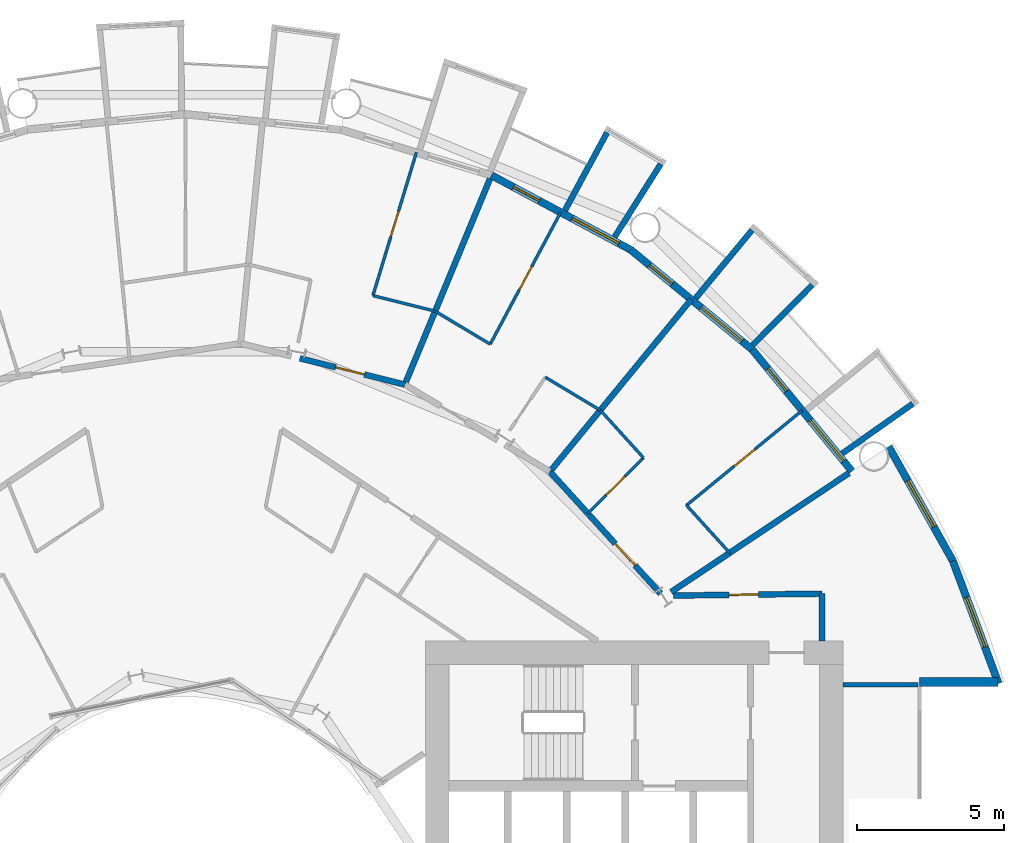
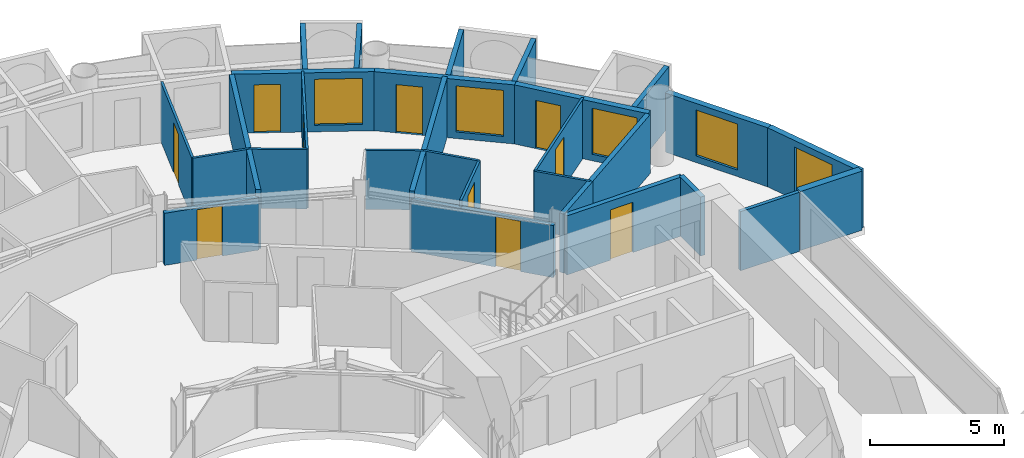
# One storey, part 21 of 26: 29 walls, 10 doors, 5 windows, 15 openings.
"""IFC4 building model written with IfcOpenShell, lengths in metres."""

from ifc_helpers import new_model, si_unit, direction, frame, frame_2d, origin, place, context, subcontext, project, spatial, rectangle, extrude, material, layer, layer_set, type_object, element, fill, save


model = new_model("IFC4")

# Units and contexts
model_context = context("Model", 3, precision=1e-05, world=origin(), true_north=direction((0.0, 1.0)))
body_context = subcontext(model_context, "Body", "Model", "MODEL_VIEW")
ifc_project = project(units=[si_unit("LENGTHUNIT", "METRE"), si_unit("AREAUNIT", "SQUARE_METRE"), si_unit("VOLUMEUNIT", "CUBIC_METRE"), si_unit("PLANEANGLEUNIT", "RADIAN"), si_unit("MASSUNIT", "GRAM", prefix="KILO")], contexts=[model_context])

# Site, building, storey
site_placement = place(None, origin())
site = spatial("IfcSite", under=ifc_project, at=site_placement, CompositionType="ELEMENT")
building_placement = place(site_placement, origin())
building = spatial("IfcBuilding", under=site, at=building_placement, Name="Maasbend Ring Residences", CompositionType="ELEMENT")
storey_placement = place(building_placement, frame((0.0, 0.0, 28.89990234375)))
storey = spatial("IfcBuildingStorey", under=building, at=storey_placement, Name="L07", CompositionType="ELEMENT", Elevation=28.89990234375)

# Wall
ifc_material_1 = material(Name="Concrete C30/37", Category="concrete")
ifc_layer_1 = layer(ifc_material_1, 0.199951171875)
ifc_layer_set_1 = layer_set([ifc_layer_1], Name="Concrete C30/37")
wall_type_1 = type_object("IfcWallType", Name="CORRIDOR WALL 200 CONCRETE", PredefinedType="PARTITIONING", material=ifc_layer_set_1)
wall_1_placement = place(storey_placement, frame((21.675048828125, 9.39990234375, 0.0), z_axis=(0.0, 0.0, 1.0), x_axis=(0.0, 1.0, 0.0)))
element("IfcWall", 1, at=wall_1_placement, inside=storey, type_object=wall_type_1, Name="U-L07-w002", PredefinedType="PARTITIONING", context=body_context, shape_type="SweptSolid", body=[
    extrude(rectangle(XDim=1.60009765625, YDim=0.199951171875, at=frame_2d((0.800048828125, 0.0))), origin(), (0.0, 0.0, 1.0), 2.7001953125),
])

# Wall, opening, door
wall_2_placement = place(storey_placement, frame((16.636962890625, 10.93798828125, 0.0), z_axis=(0.0, 0.0, 1.0), x_axis=(0.99992425795, 0.012307654658, 0.0)))
wall_2 = element("IfcWall", 2, at=wall_2_placement, inside=storey, type_object=wall_type_1, Name="U-L07-w079", PredefinedType="PARTITIONING", context=body_context, shape_type="SweptSolid", body=[
    extrude(rectangle(XDim=5.03857421875, YDim=0.199951171875, at=frame_2d((2.519287109375, 0.0))), origin(), (0.0, 0.0, 1.0), 2.7001953125),
])
opening_1_placement = place(wall_2_placement, frame((1.884033203125, 0.0, 0.0)))
opening_1 = element("IfcOpeningElement", 3, at=opening_1_placement, cuts=wall_2, Name="Opening D-0760", PredefinedType="OPENING", context=body_context, shape_type="SweptSolid", body=[
    extrude(rectangle(XDim=1.0, YDim=2.300048828125, at=frame_2d((0.5, 1.14990234375))), frame((0.0, 0.10986328125, 0.0), z_axis=(0.0, -1.0, 0.0), x_axis=(1.0, 0.0, 0.0)), (0.0, 0.0, 1.0), 0.219970703125),
])
ifc_material_2 = material(Name="Timber, painted", Category="wood")
door_type_1 = type_object("IfcDoorType", Name="ROOM DOOR 1000 X 2300", OperationType="NOTDEFINED", PredefinedType="DOOR", material=ifc_material_2)
door_1_placement = place(opening_1_placement, origin())
door_1 = element("IfcDoor", 4, at=door_1_placement, inside=storey, type_object=door_type_1, Name="D-0760", OperationType="SINGLE_SWING_LEFT", OverallHeight=2.300048828125, OverallWidth=1.0, PredefinedType="DOOR", context=body_context, shape_type="SweptSolid", body=[
    extrude(rectangle(XDim=1.0, YDim=2.300048828125, at=frame_2d((0.5, 1.14990234375))), frame((0.0, 0.02490234375, 0.0), z_axis=(0.0, -1.0, 0.0), x_axis=(1.0, 0.0, 0.0)), (0.0, 0.0, 1.0), 0.050048828125),
])
fill(opening_1, door_1)

wall_3_placement = place(storey_placement, frame((3.93505859375, 19.0009765625, 0.0), z_axis=(0.0, 0.0, 1.0), x_axis=(0.970040840928, -0.242941900323, 0.0)))
wall_3 = element("IfcWall", 5, at=wall_3_placement, inside=storey, type_object=wall_type_1, Name="U-L07-w091", PredefinedType="PARTITIONING", context=body_context, shape_type="SweptSolid", body=[
    extrude(rectangle(XDim=3.676025390625, YDim=0.199951171875, at=frame_2d((1.837890625, 0.0))), origin(), (0.0, 0.0, 1.0), 2.380126953125),
])
opening_2_placement = place(wall_3_placement, frame((1.259033203125, 0.0, 0.0)))
opening_2 = element("IfcOpeningElement", 6, at=opening_2_placement, cuts=wall_3, Name="Opening D-0707", PredefinedType="OPENING", context=body_context, shape_type="SweptSolid", body=[
    extrude(rectangle(XDim=1.0, YDim=2.300048828125, at=frame_2d((0.5, 1.14990234375))), frame((0.0, 0.10986328125, 0.0), z_axis=(0.0, -1.0, 0.0), x_axis=(1.0, 0.0, 0.0)), (0.0, 0.0, 1.0), 0.219970703125),
])
ifc_material_3 = material(Name="Timber, fire-rated, painted", Category="wood")
door_type_2 = type_object("IfcDoorType", Name="FLAT ENTRANCE DOOR 1000 X 2300 FIRE-RATED", OperationType="NOTDEFINED", PredefinedType="DOOR", material=ifc_material_3)
door_2_placement = place(opening_2_placement, origin())
door_2 = element("IfcDoor", 7, at=door_2_placement, inside=storey, type_object=door_type_2, Name="D-0707", OperationType="SINGLE_SWING_LEFT", OverallHeight=2.300048828125, OverallWidth=1.0, PredefinedType="DOOR", context=body_context, shape_type="SweptSolid", body=[
    extrude(rectangle(XDim=1.0, YDim=2.300048828125, at=frame_2d((0.5, 1.14990234375))), frame((0.0, 0.02490234375, 0.0), z_axis=(0.0, -1.0, 0.0), x_axis=(1.0, 0.0, 0.0)), (0.0, 0.0, 1.0), 0.050048828125),
])
fill(opening_2, door_2)

wall_4_placement = place(storey_placement, frame((12.43408203125, 15.15087890625, 0.0), z_axis=(0.0, 0.0, 1.0), x_axis=(0.671514934772, -0.740991020444, 0.0)))
wall_4 = element("IfcWall", 8, at=wall_4_placement, inside=storey, type_object=wall_type_1, Name="U-L07-w094", PredefinedType="PARTITIONING", context=body_context, shape_type="SweptSolid", body=[
    extrude(rectangle(XDim=5.597900390625, YDim=0.199951171875, at=frame_2d((2.798828125, 0.0))), origin(), (0.0, 0.0, 1.0), 2.380126953125),
])
opening_3_placement = place(wall_4_placement, frame((3.304931640625, 0.0, 0.0)))
opening_3 = element("IfcOpeningElement", 9, at=opening_3_placement, cuts=wall_4, Name="Opening D-0701", PredefinedType="OPENING", context=body_context, shape_type="SweptSolid", body=[
    extrude(rectangle(XDim=1.0, YDim=2.300048828125, at=frame_2d((0.5, 1.14990234375))), frame((0.0, 0.10986328125, 0.0), z_axis=(0.0, -1.0, 0.0), x_axis=(1.0, 0.0, 0.0)), (0.0, 0.0, 1.0), 0.219970703125),
])
door_3_placement = place(opening_3_placement, origin())
door_3 = element("IfcDoor", 10, at=door_3_placement, inside=storey, type_object=door_type_2, Name="D-0701", OperationType="SINGLE_SWING_RIGHT", OverallHeight=2.300048828125, OverallWidth=1.0, PredefinedType="DOOR", context=body_context, shape_type="SweptSolid", body=[
    extrude(rectangle(XDim=1.0, YDim=2.300048828125, at=frame_2d((0.5, 1.14990234375))), frame((0.0, 0.02490234375, 0.0), z_axis=(0.0, -1.0, 0.0), x_axis=(1.0, 0.0, 0.0)), (0.0, 0.0, 1.0), 0.050048828125),
])
fill(opening_3, door_3)

# Walls
ifc_material_4 = material(Name="Pale anodised aluminium panel", Category="aluminium")
ifc_layer_2 = layer(ifc_material_4, 0.199951171875)
ifc_layer_set_2 = layer_set([ifc_layer_2], Name="EW-BOX")
wall_type_2 = type_object("IfcWallType", Name="EW-BOX", PredefinedType="SOLIDWALL", material=ifc_layer_set_2)
wall_5_placement = place(storey_placement, frame((22.3701171875, 15.764892578125, -0.02978515625), z_axis=(0.0, 0.0, 1.0), x_axis=(0.817256123454, 0.576274612209, 0.0)))
element("IfcWall", 11, at=wall_5_placement, inside=storey, type_object=wall_type_2, Name="Box side wall N01 left", PredefinedType="SOLIDWALL", context=body_context, shape_type="SweptSolid", body=[
    extrude(rectangle(XDim=2.932861328125, YDim=0.199951171875, at=frame_2d((1.46630859375, 0.0))), origin(), (0.0, 0.0, 1.0), 2.72998046875),
])
wall_6_placement = place(storey_placement, frame((19.322998046875, 19.449951171875, -0.02978515625), z_axis=(0.0, 0.0, 1.0), x_axis=(0.704476739375, 0.709727076896, 0.0)))
element("IfcWall", 12, at=wall_6_placement, inside=storey, type_object=wall_type_2, Name="Box side wall N03 left", PredefinedType="SOLIDWALL", context=body_context, shape_type="SweptSolid", body=[
    extrude(rectangle(XDim=2.883056640625, YDim=0.199951171875, at=frame_2d((1.44140625, 0.0))), origin(), (0.0, 0.0, 1.0), 2.72998046875),
])
wall_7_placement = place(storey_placement, frame((17.384033203125, 21.041015625, -0.02978515625), z_axis=(0.0, 0.0, 1.0), x_axis=(0.63709551667, 0.770784861449, 0.0)))
element("IfcWall", 13, at=wall_7_placement, inside=storey, type_object=wall_type_2, Name="Box side wall N03 right", PredefinedType="SOLIDWALL", context=body_context, shape_type="SweptSolid", body=[
    extrude(rectangle(XDim=3.005859375, YDim=0.199951171875, at=frame_2d((1.5029296875, 0.0))), origin(), (0.0, 0.0, 1.0), 2.72998046875),
])
wall_8_placement = place(storey_placement, frame((14.635009765625, 23.1259765625, -0.02978515625), z_axis=(0.0, 0.0, 1.0), x_axis=(0.534437802731, 0.845207805816, 0.0)))
element("IfcWall", 14, at=wall_8_placement, inside=storey, type_object=wall_type_2, Name="Box side wall N05 left", PredefinedType="SOLIDWALL", context=body_context, shape_type="SweptSolid", body=[
    extrude(rectangle(XDim=2.931884765625, YDim=0.199951171875, at=frame_2d((1.4658203125, 0.0))), origin(), (0.0, 0.0, 1.0), 2.72998046875),
])
wall_9_placement = place(storey_placement, frame((12.945068359375, 24.029052734375, -0.02978515625), z_axis=(0.0, 0.0, 1.0), x_axis=(0.474424310775, 0.88029629861, 0.0)))
element("IfcWall", 15, at=wall_9_placement, inside=storey, type_object=wall_type_2, Name="Box side wall N05 right", PredefinedType="SOLIDWALL", context=body_context, shape_type="SweptSolid", body=[
    extrude(rectangle(XDim=3.005859375, YDim=0.199951171875, at=frame_2d((1.5029296875, 0.0))), origin(), (0.0, 0.0, 1.0), 2.72998046875),
])

# Wall, openings, door, window
ifc_material_5 = material(Name="Aluminium clad insulated panel", Category="aluminium")
ifc_layer_3 = layer(ifc_material_5, 0.25)
ifc_layer_set_3 = layer_set([ifc_layer_3], Name="EW-GL")
wall_type_3 = type_object("IfcWallType", Name="EW-GL", PredefinedType="SOLIDWALL", material=ifc_layer_set_3)
wall_10_placement = place(storey_placement, frame((22.698974609375, 15.1669921875, 0.0), z_axis=(0.0, 0.0, 1.0), x_axis=(-0.634382322723, 0.773019449054, 0.0)))
wall_10 = element("IfcWall", 16, at=wall_10_placement, inside=storey, type_object=wall_type_3, Name="External wall N01", PredefinedType="SOLIDWALL", context=body_context, shape_type="SweptSolid", body=[
    extrude(rectangle(XDim=5.351806640625, YDim=0.25, at=frame_2d((2.67578125, 0.0))), origin(), (0.0, 0.0, 1.0), 2.7001953125),
])
opening_4_placement = place(wall_10_placement, frame((0.441162109375, 0.0, 0.300048828125)))
opening_4 = element("IfcOpeningElement", 17, at=opening_4_placement, cuts=wall_10, Name="Opening W-BX", PredefinedType="OPENING", context=body_context, shape_type="SweptSolid", body=[
    extrude(rectangle(XDim=1.800048828125, YDim=2.10009765625, at=frame_2d((0.89990234375, 1.050048828125))), frame((0.0, 0.135009765625, 0.0), z_axis=(0.0, -1.0, 0.0), x_axis=(1.0, 0.0, 0.0)), (0.0, 0.0, 1.0), 0.27001953125),
])
opening_5_placement = place(wall_10_placement, frame((3.510498046875, 0.0, 0.0)))
opening_5 = element("IfcOpeningElement", 18, at=opening_5_placement, cuts=wall_10, Name="Opening D-LG", PredefinedType="OPENING", context=body_context, shape_type="SweptSolid", body=[
    extrude(rectangle(XDim=1.0, YDim=2.199951171875, at=frame_2d((0.5, 1.10009765625))), frame((0.0, 0.135009765625, 0.0), z_axis=(0.0, -1.0, 0.0), x_axis=(1.0, 0.0, 0.0)), (0.0, 0.0, 1.0), 0.27001953125),
])
ifc_material_6 = material(Name="Aluminium and clear glass", Category="aluminium")
door_type_3 = type_object("IfcDoorType", Name="D-LG", OperationType="SINGLE_SWING_LEFT", PredefinedType="DOOR", material=ifc_material_6)
door_4_placement = place(opening_5_placement, origin())
door_4 = element("IfcDoor", 19, at=door_4_placement, inside=storey, type_object=door_type_3, Name="Loggia door N02", OperationType="SINGLE_SWING_LEFT", OverallHeight=2.199951171875, OverallWidth=1.0, PredefinedType="DOOR", context=body_context, shape_type="SweptSolid", body=[
    extrude(rectangle(XDim=1.0, YDim=2.199951171875, at=frame_2d((0.5, 1.10009765625))), frame((0.0, 0.02490234375, 0.0), z_axis=(0.0, -1.0, 0.0), x_axis=(1.0, 0.0, 0.0)), (0.0, 0.0, 1.0), 0.050048828125),
])
fill(opening_5, door_4)
ifc_material_7 = material(Name="Aluminium and clear glass", Category="aluminium")
window_type = type_object("IfcWindowType", Name="W-BX", PartitioningType="DOUBLE_PANEL_VERTICAL", PredefinedType="WINDOW", material=ifc_material_7)
window_1_placement = place(opening_4_placement, origin())
window_1 = element("IfcWindow", 20, at=window_1_placement, inside=storey, type_object=window_type, Name="Window N01 room to box", OverallHeight=2.10009765625, OverallWidth=1.800048828125, PartitioningType="SINGLE_PANEL", PredefinedType="WINDOW", context=body_context, shape_type="SweptSolid", body=[
    extrude(rectangle(XDim=1.800048828125, YDim=2.10009765625, at=frame_2d((0.89990234375, 1.050048828125))), frame((0.0, 0.030029296875, 0.0), z_axis=(0.0, -1.0, 0.0), x_axis=(1.0, 0.0, 0.0)), (0.0, 0.0, 1.0), 0.06005859375),
])
fill(opening_4, window_1)

wall_11_placement = place(storey_placement, frame((19.303955078125, 19.303955078125, 0.0), z_axis=(0.0, 0.0, 1.0), x_axis=(-0.773019449054, 0.634382322723, 0.0)))
wall_11 = element("IfcWall", 21, at=wall_11_placement, inside=storey, type_object=wall_type_3, Name="External wall N02", PredefinedType="SOLIDWALL", context=body_context, shape_type="SweptSolid", body=[
    extrude(rectangle(XDim=5.351806640625, YDim=0.25, at=frame_2d((2.67578125, 0.0))), origin(), (0.0, 0.0, 1.0), 2.7001953125),
])
opening_6_placement = place(wall_11_placement, frame((0.441162109375, 0.0, 0.300048828125)))
opening_6 = element("IfcOpeningElement", 22, at=opening_6_placement, cuts=wall_11, Name="Opening W-BX", PredefinedType="OPENING", context=body_context, shape_type="SweptSolid", body=[
    extrude(rectangle(XDim=1.800048828125, YDim=2.10009765625, at=frame_2d((0.89990234375, 1.050048828125))), frame((0.0, 0.135009765625, 0.0), z_axis=(0.0, -1.0, 0.0), x_axis=(1.0, 0.0, 0.0)), (0.0, 0.0, 1.0), 0.27001953125),
])
opening_7_placement = place(wall_11_placement, frame((3.510498046875, 0.0, 0.0)))
opening_7 = element("IfcOpeningElement", 23, at=opening_7_placement, cuts=wall_11, Name="Opening D-LG", PredefinedType="OPENING", context=body_context, shape_type="SweptSolid", body=[
    extrude(rectangle(XDim=1.0, YDim=2.199951171875, at=frame_2d((0.5, 1.10009765625))), frame((0.0, 0.135009765625, 0.0), z_axis=(0.0, -1.0, 0.0), x_axis=(1.0, 0.0, 0.0)), (0.0, 0.0, 1.0), 0.27001953125),
])
door_5_placement = place(opening_7_placement, origin())
door_5 = element("IfcDoor", 24, at=door_5_placement, inside=storey, type_object=door_type_3, Name="Loggia door N04", OperationType="SINGLE_SWING_LEFT", OverallHeight=2.199951171875, OverallWidth=1.0, PredefinedType="DOOR", context=body_context, shape_type="SweptSolid", body=[
    extrude(rectangle(XDim=1.0, YDim=2.199951171875, at=frame_2d((0.5, 1.10009765625))), frame((0.0, 0.02490234375, 0.0), z_axis=(0.0, -1.0, 0.0), x_axis=(1.0, 0.0, 0.0)), (0.0, 0.0, 1.0), 0.050048828125),
])
fill(opening_7, door_5)
window_2_placement = place(opening_6_placement, origin())
window_2 = element("IfcWindow", 25, at=window_2_placement, inside=storey, type_object=window_type, Name="Window N03 room to box", OverallHeight=2.10009765625, OverallWidth=1.800048828125, PartitioningType="SINGLE_PANEL", PredefinedType="WINDOW", context=body_context, shape_type="SweptSolid", body=[
    extrude(rectangle(XDim=1.800048828125, YDim=2.10009765625, at=frame_2d((0.89990234375, 1.050048828125))), frame((0.0, 0.030029296875, 0.0), z_axis=(0.0, -1.0, 0.0), x_axis=(1.0, 0.0, 0.0)), (0.0, 0.0, 1.0), 0.06005859375),
])
fill(opening_6, window_2)

wall_12_placement = place(storey_placement, frame((15.1669921875, 22.698974609375, 0.0), z_axis=(0.0, 0.0, 1.0), x_axis=(-0.881915646801, 0.471407246368, 0.0)))
wall_12 = element("IfcWall", 26, at=wall_12_placement, inside=storey, type_object=wall_type_3, Name="External wall N03", PredefinedType="SOLIDWALL", context=body_context, shape_type="SweptSolid", body=[
    extrude(rectangle(XDim=5.35205078125, YDim=0.25, at=frame_2d((2.676025390625, 0.0))), origin(), (0.0, 0.0, 1.0), 2.7001953125),
])
opening_8_placement = place(wall_12_placement, frame((0.441162109375, 0.0, 0.300048828125)))
opening_8 = element("IfcOpeningElement", 27, at=opening_8_placement, cuts=wall_12, Name="Opening W-BX", PredefinedType="OPENING", context=body_context, shape_type="SweptSolid", body=[
    extrude(rectangle(XDim=1.800048828125, YDim=2.10009765625, at=frame_2d((0.89990234375, 1.050048828125))), frame((0.0, 0.135009765625, 0.0), z_axis=(0.0, -1.0, 0.0), x_axis=(1.0, 0.0, 0.0)), (0.0, 0.0, 1.0), 0.27001953125),
])
opening_9_placement = place(wall_12_placement, frame((3.510498046875, 0.0, 0.0)))
opening_9 = element("IfcOpeningElement", 28, at=opening_9_placement, cuts=wall_12, Name="Opening D-LG", PredefinedType="OPENING", context=body_context, shape_type="SweptSolid", body=[
    extrude(rectangle(XDim=1.0, YDim=2.199951171875, at=frame_2d((0.5, 1.10009765625))), frame((0.0, 0.135009765625, 0.0), z_axis=(0.0, -1.0, 0.0), x_axis=(1.0, 0.0, 0.0)), (0.0, 0.0, 1.0), 0.27001953125),
])
door_6_placement = place(opening_9_placement, origin())
door_6 = element("IfcDoor", 29, at=door_6_placement, inside=storey, type_object=door_type_3, Name="Loggia door N06", OperationType="SINGLE_SWING_LEFT", OverallHeight=2.199951171875, OverallWidth=1.0, PredefinedType="DOOR", context=body_context, shape_type="SweptSolid", body=[
    extrude(rectangle(XDim=1.0, YDim=2.199951171875, at=frame_2d((0.5, 1.10009765625))), frame((0.0, 0.02490234375, 0.0), z_axis=(0.0, -1.0, 0.0), x_axis=(1.0, 0.0, 0.0)), (0.0, 0.0, 1.0), 0.050048828125),
])
fill(opening_9, door_6)
window_3_placement = place(opening_8_placement, origin())
window_3 = element("IfcWindow", 30, at=window_3_placement, inside=storey, type_object=window_type, Name="Window N05 room to box", OverallHeight=2.10009765625, OverallWidth=1.800048828125, PartitioningType="SINGLE_PANEL", PredefinedType="WINDOW", context=body_context, shape_type="SweptSolid", body=[
    extrude(rectangle(XDim=1.800048828125, YDim=2.10009765625, at=frame_2d((0.89990234375, 1.050048828125))), frame((0.0, 0.030029296875, 0.0), z_axis=(0.0, -1.0, 0.0), x_axis=(1.0, 0.0, 0.0)), (0.0, 0.0, 1.0), 0.06005859375),
])
fill(opening_8, window_3)

# Wall, opening, window
ifc_material_8 = material(Name="Aluminium clad insulated panel", Category="aluminium")
ifc_layer_4 = layer(ifc_material_8, 0.25)
ifc_layer_set_4 = layer_set([ifc_layer_4], Name="EW-HORN")
wall_type_4 = type_object("IfcWallType", Name="EW-HORN", PredefinedType="SOLIDWALL", material=ifc_layer_set_4)
wall_13_placement = place(storey_placement, frame((27.681884765625, 7.945068359375, 0.0), z_axis=(0.0, 0.0, 1.0), x_axis=(-0.349247811493, 0.937030397675, 0.0)))
wall_13 = element("IfcWall", 31, at=wall_13_placement, inside=storey, type_object=wall_type_4, Name="Horn wall 1.1", PredefinedType="SOLIDWALL", context=body_context, shape_type="SweptSolid", body=[
    extrude(rectangle(XDim=4.4521484375, YDim=0.25, at=frame_2d((2.22607421875, 0.0))), origin(), (0.0, 0.0, 1.0), 2.7001953125),
])
opening_10_placement = place(wall_13_placement, frame((1.32666015625, 0.0, 0.300048828125)))
opening_10 = element("IfcOpeningElement", 32, at=opening_10_placement, cuts=wall_13, Name="Opening W-BX", PredefinedType="OPENING", context=body_context, shape_type="SweptSolid", body=[
    extrude(rectangle(XDim=1.800048828125, YDim=2.10009765625, at=frame_2d((0.89990234375, 1.050048828125))), frame((0.0, 0.135009765625, 0.0), z_axis=(0.0, -1.0, 0.0), x_axis=(1.0, 0.0, 0.0)), (0.0, 0.0, 1.0), 0.27001953125),
])
window_4_placement = place(opening_10_placement, origin())
window_4 = element("IfcWindow", 33, at=window_4_placement, inside=storey, type_object=window_type, Name="Horn window 1.1", OverallHeight=2.10009765625, OverallWidth=1.800048828125, PartitioningType="SINGLE_PANEL", PredefinedType="WINDOW", context=body_context, shape_type="SweptSolid", body=[
    extrude(rectangle(XDim=1.800048828125, YDim=2.10009765625, at=frame_2d((0.89990234375, 1.050048828125))), frame((0.0, 0.030029296875, 0.0), z_axis=(0.0, -1.0, 0.0), x_axis=(1.0, 0.0, 0.0)), (0.0, 0.0, 1.0), 0.06005859375),
])
fill(opening_10, window_4)

wall_14_placement = place(storey_placement, frame((26.126953125, 12.116943359375, 0.0), z_axis=(0.0, 0.0, 1.0), x_axis=(-0.489696356642, 0.871893042919, 0.0)))
wall_14 = element("IfcWall", 34, at=wall_14_placement, inside=storey, type_object=wall_type_4, Name="Horn wall 1.2", PredefinedType="SOLIDWALL", context=body_context, shape_type="SweptSolid", body=[
    extrude(rectangle(XDim=4.45361328125, YDim=0.25, at=frame_2d((2.226806640625, 0.0))), origin(), (0.0, 0.0, 1.0), 2.7001953125),
])
opening_11_placement = place(wall_14_placement, frame((1.32666015625, 0.0, 0.300048828125)))
opening_11 = element("IfcOpeningElement", 35, at=opening_11_placement, cuts=wall_14, Name="Opening W-BX", PredefinedType="OPENING", context=body_context, shape_type="SweptSolid", body=[
    extrude(rectangle(XDim=1.800048828125, YDim=2.10009765625, at=frame_2d((0.89990234375, 1.050048828125))), frame((0.0, 0.135009765625, 0.0), z_axis=(0.0, -1.0, 0.0), x_axis=(1.0, 0.0, 0.0)), (0.0, 0.0, 1.0), 0.27001953125),
])
window_5_placement = place(opening_11_placement, origin())
window_5 = element("IfcWindow", 36, at=window_5_placement, inside=storey, type_object=window_type, Name="Horn window 1.2", OverallHeight=2.10009765625, OverallWidth=1.800048828125, PartitioningType="SINGLE_PANEL", PredefinedType="WINDOW", context=body_context, shape_type="SweptSolid", body=[
    extrude(rectangle(XDim=1.800048828125, YDim=2.10009765625, at=frame_2d((0.89990234375, 1.050048828125))), frame((0.0, 0.030029296875, 0.0), z_axis=(0.0, -1.0, 0.0), x_axis=(1.0, 0.0, 0.0)), (0.0, 0.0, 1.0), 0.06005859375),
])
fill(opening_11, window_5)

# Wall
ifc_material_9 = material(Name="Aluminium clad insulated panel", Category="aluminium")
ifc_layer_5 = layer(ifc_material_9, 0.300048828125)
ifc_layer_set_5 = layer_set([ifc_layer_5], Name="EW-RET")
wall_type_5 = type_object("IfcWallType", Name="EW-RET", PredefinedType="SOLIDWALL", material=ifc_layer_set_5)
wall_15_placement = place(storey_placement, frame((25.0, 8.0, 0.0), z_axis=(0.0, 0.0, 1.0), x_axis=(1.0, 0.0, 0.0)))
element("IfcWall", 37, at=wall_15_placement, inside=storey, type_object=wall_type_5, Name="Notch return wall east north", PredefinedType="SOLIDWALL", context=body_context, shape_type="SweptSolid", body=[
    extrude(rectangle(XDim=2.6669921875, YDim=0.300048828125, at=frame_2d((1.33349609375, 0.0))), origin(), (0.0, 0.0, 1.0), 2.7001953125),
])

# Wall, opening, door
ifc_material_10 = material(Name="Gypsum board on steel studs", Category="steel")
ifc_layer_6 = layer(ifc_material_10, 0.10009765625)
ifc_layer_set_6 = layer_set([ifc_layer_6], Name="PARTITION 100 GYPSUM")
wall_type_6 = type_object("IfcWallType", Name="PARTITION 100 GYPSUM", PredefinedType="PARTITIONING", material=ifc_layer_set_6)
wall_16_placement = place(storey_placement, frame((6.41796875, 21.133056640625, 0.0), z_axis=(0.0, 0.0, 1.0), x_axis=(0.290651827018, 0.956828885147, 0.0)))
wall_16 = element("IfcWall", 38, at=wall_16_placement, inside=storey, type_object=wall_type_6, Name="U-L07-w059", PredefinedType="PARTITIONING", context=body_context, shape_type="SweptSolid", body=[
    extrude(rectangle(XDim=5.088623046875, YDim=0.10009765625, at=frame_2d((2.54443359375, 0.0))), origin(), (0.0, 0.0, 1.0), 2.7001953125),
])
opening_12_placement = place(wall_16_placement, frame((2.093994140625, 0.0, 0.0)))
opening_12 = element("IfcOpeningElement", 39, at=opening_12_placement, cuts=wall_16, Name="Opening D-0709", PredefinedType="OPENING", context=body_context, shape_type="SweptSolid", body=[
    extrude(rectangle(XDim=0.89990234375, YDim=2.300048828125, at=frame_2d((0.449951171875, 1.14990234375))), frame((0.0, 0.06005859375, 0.0), z_axis=(0.0, -1.0, 0.0), x_axis=(1.0, 0.0, 0.0)), (0.0, 0.0, 1.0), 0.1201171875),
])
ifc_material_11 = material(Name="Timber, painted", Category="wood")
door_type_4 = type_object("IfcDoorType", Name="INTERNAL DOOR 900 X 2300", OperationType="NOTDEFINED", PredefinedType="DOOR", material=ifc_material_11)
door_7_placement = place(opening_12_placement, origin())
door_7 = element("IfcDoor", 40, at=door_7_placement, inside=storey, type_object=door_type_4, Name="D-0709", OperationType="SINGLE_SWING_LEFT", OverallHeight=2.300048828125, OverallWidth=0.89990234375, PredefinedType="DOOR", context=body_context, shape_type="SweptSolid", body=[
    extrude(rectangle(XDim=0.89990234375, YDim=2.300048828125, at=frame_2d((0.449951171875, 1.14990234375))), frame((0.0, 0.02490234375, 0.0), z_axis=(0.0, -1.0, 0.0), x_axis=(1.0, 0.0, 0.0)), (0.0, 0.0, 1.0), 0.050048828125),
])
fill(opening_12, door_7)

wall_17_placement = place(storey_placement, frame((10.405029296875, 19.48095703125, 0.0), z_axis=(0.0, 0.0, 1.0), x_axis=(0.471170755767, 0.882042016522, 0.0)))
wall_17 = element("IfcWall", 41, at=wall_17_placement, inside=storey, type_object=wall_type_6, Name="U-L07-w065", PredefinedType="PARTITIONING", context=body_context, shape_type="SweptSolid", body=[
    extrude(rectangle(XDim=5.08935546875, YDim=0.10009765625, at=frame_2d((2.544677734375, 0.0))), origin(), (0.0, 0.0, 1.0), 2.7001953125),
])
opening_13_placement = place(wall_17_placement, frame((2.094970703125, 0.0, 0.0)))
opening_13 = element("IfcOpeningElement", 42, at=opening_13_placement, cuts=wall_17, Name="Opening D-0706", PredefinedType="OPENING", context=body_context, shape_type="SweptSolid", body=[
    extrude(rectangle(XDim=0.89990234375, YDim=2.300048828125, at=frame_2d((0.449951171875, 1.14990234375))), frame((0.0, 0.06005859375, 0.0), z_axis=(0.0, -1.0, 0.0), x_axis=(1.0, 0.0, 0.0)), (0.0, 0.0, 1.0), 0.1201171875),
])
door_8_placement = place(opening_13_placement, origin())
door_8 = element("IfcDoor", 43, at=door_8_placement, inside=storey, type_object=door_type_4, Name="D-0706", OperationType="SINGLE_SWING_RIGHT", OverallHeight=2.300048828125, OverallWidth=0.89990234375, PredefinedType="DOOR", context=body_context, shape_type="SweptSolid", body=[
    extrude(rectangle(XDim=0.89990234375, YDim=2.300048828125, at=frame_2d((0.449951171875, 1.14990234375))), frame((0.0, 0.02490234375, 0.0), z_axis=(0.0, -1.0, 0.0), x_axis=(1.0, 0.0, 0.0)), (0.0, 0.0, 1.0), 0.050048828125),
])
fill(opening_13, door_8)

wall_18_placement = place(storey_placement, frame((13.721923828125, 13.72998046875, 0.0), z_axis=(0.0, 0.0, 1.0), x_axis=(0.706741540154, 0.707471833659, 0.0)))
wall_18 = element("IfcWall", 44, at=wall_18_placement, inside=storey, type_object=wall_type_6, Name="U-L07-w070", PredefinedType="PARTITIONING", context=body_context, shape_type="SweptSolid", body=[
    extrude(rectangle(XDim=2.67431640625, YDim=0.10009765625, at=frame_2d((1.337158203125, 0.0))), origin(), (0.0, 0.0, 1.0), 2.7001953125),
])
opening_14_placement = place(wall_18_placement, frame((0.886962890625, 0.0, 0.0)))
opening_14 = element("IfcOpeningElement", 45, at=opening_14_placement, cuts=wall_18, Name="Opening D-0702", PredefinedType="OPENING", context=body_context, shape_type="SweptSolid", body=[
    extrude(rectangle(XDim=0.89990234375, YDim=2.300048828125, at=frame_2d((0.449951171875, 1.14990234375))), frame((0.0, 0.06005859375, 0.0), z_axis=(0.0, -1.0, 0.0), x_axis=(1.0, 0.0, 0.0)), (0.0, 0.0, 1.0), 0.1201171875),
])
door_9_placement = place(opening_14_placement, origin())
door_9 = element("IfcDoor", 46, at=door_9_placement, inside=storey, type_object=door_type_4, Name="D-0702", OperationType="SINGLE_SWING_RIGHT", OverallHeight=2.300048828125, OverallWidth=0.89990234375, PredefinedType="DOOR", context=body_context, shape_type="SweptSolid", body=[
    extrude(rectangle(XDim=0.89990234375, YDim=2.300048828125, at=frame_2d((0.449951171875, 1.14990234375))), frame((0.0, 0.02490234375, 0.0), z_axis=(0.0, -1.0, 0.0), x_axis=(1.0, 0.0, 0.0)), (0.0, 0.0, 1.0), 0.050048828125),
])
fill(opening_14, door_9)

wall_19_placement = place(storey_placement, frame((17.076904296875, 14.006103515625, 0.0), z_axis=(0.0, 0.0, 1.0), x_axis=(0.77326214499, 0.634086472908, 0.0)))
wall_19 = element("IfcWall", 47, at=wall_19_placement, inside=storey, type_object=wall_type_6, Name="U-L07-w073", PredefinedType="PARTITIONING", context=body_context, shape_type="SweptSolid", body=[
    extrude(rectangle(XDim=5.0888671875, YDim=0.10009765625, at=frame_2d((2.54443359375, 0.0))), origin(), (0.0, 0.0, 1.0), 2.7001953125),
])
opening_15_placement = place(wall_19_placement, frame((2.093994140625, 0.0, 0.0)))
opening_15 = element("IfcOpeningElement", 48, at=opening_15_placement, cuts=wall_19, Name="Opening D-0703", PredefinedType="OPENING", context=body_context, shape_type="SweptSolid", body=[
    extrude(rectangle(XDim=0.89990234375, YDim=2.300048828125, at=frame_2d((0.449951171875, 1.14990234375))), frame((0.0, 0.06005859375, 0.0), z_axis=(0.0, -1.0, 0.0), x_axis=(1.0, 0.0, 0.0)), (0.0, 0.0, 1.0), 0.1201171875),
])
door_10_placement = place(opening_15_placement, origin())
door_10 = element("IfcDoor", 49, at=door_10_placement, inside=storey, type_object=door_type_4, Name="D-0703", OperationType="SINGLE_SWING_RIGHT", OverallHeight=2.300048828125, OverallWidth=0.89990234375, PredefinedType="DOOR", context=body_context, shape_type="SweptSolid", body=[
    extrude(rectangle(XDim=0.89990234375, YDim=2.300048828125, at=frame_2d((0.449951171875, 1.14990234375))), frame((0.0, 0.02490234375, 0.0), z_axis=(0.0, -1.0, 0.0), x_axis=(1.0, 0.0, 0.0)), (0.0, 0.0, 1.0), 0.050048828125),
])
fill(opening_15, door_10)

# Walls
wall_20_placement = place(storey_placement, frame((6.41796875, 21.133056640625, 0.0), z_axis=(0.0, 0.0, 1.0), x_axis=(0.97003047456, -0.242983288366, 0.0)))
element("IfcWall", 50, at=wall_20_placement, inside=storey, type_object=wall_type_6, Name="U-L07-w104", PredefinedType="PARTITIONING", context=body_context, shape_type="SweptSolid", body=[
    extrude(rectangle(XDim=2.181396484375, YDim=0.10009765625, at=frame_2d((1.0908203125, 0.0))), origin(), (0.0, 0.0, 1.0), 2.7001953125),
])
for number, where, z_axis, x_axis, name in (
    (51, (8.533935546875, 20.60302734375, 0.0), (0.0, 0.0, 1.0), (0.857611386679, -0.514298268943, 0.0), "U-L07-w105"),
    (52, (12.27587890625, 18.35888671875, 0.0), (0.0, 0.0, 1.0), (0.857660741648, -0.514215958752, 0.0), "U-L07-w106"),
):
    element("IfcWall", number, at=place(storey_placement, frame(where, z_axis=z_axis, x_axis=x_axis)), inside=storey, type_object=wall_type_6, Name=name, PredefinedType="PARTITIONING", context=body_context, shape_type="SweptSolid", body=[
        extrude(rectangle(XDim=2.181640625, YDim=0.10009765625, at=frame_2d((1.0908203125, 0.0))), origin(), (0.0, 0.0, 1.0), 2.7001953125),
    ])
wall_21_placement = place(storey_placement, frame((14.14697265625, 17.238037109375, 0.0), z_axis=(0.0, 0.0, 1.0), x_axis=(0.671674967707, -0.740845960882, 0.0)))
element("IfcWall", 53, at=wall_21_placement, inside=storey, type_object=wall_type_6, Name="U-L07-w107", PredefinedType="PARTITIONING", context=body_context, shape_type="SweptSolid", body=[
    extrude(rectangle(XDim=2.18115234375, YDim=0.10009765625, at=frame_2d((1.090576171875, 0.0))), origin(), (0.0, 0.0, 1.0), 2.7001953125),
])
wall_22_placement = place(storey_placement, frame((17.072021484375, 14.010986328125, 0.0), z_axis=(0.0, 0.0, 1.0), x_axis=(0.67169789574, -0.740825172937, 0.0)))
element("IfcWall", 54, at=wall_22_placement, inside=storey, type_object=wall_type_6, Name="U-L07-w108", PredefinedType="PARTITIONING", context=body_context, shape_type="SweptSolid", body=[
    extrude(rectangle(XDim=2.1826171875, YDim=0.10009765625, at=frame_2d((1.09130859375, 0.0))), origin(), (0.0, 0.0, 1.0), 2.7001953125),
])
ifc_material_12 = material(Name="Gypsum board on steel studs", Category="steel")
ifc_layer_7 = layer(ifc_material_12, 0.14990234375)
ifc_layer_set_7 = layer_set([ifc_layer_7], Name="PARTITION 150 EI 60")
wall_type_7 = type_object("IfcWallType", Name="PARTITION 150 EI 60", PredefinedType="PARTITIONING", material=ifc_layer_set_7)
wall_23_placement = place(storey_placement, frame((22.39990234375, 7.89990234375, 0.0), z_axis=(0.0, 0.0, 1.0), x_axis=(1.0, 0.0, 0.0)))
element("IfcWall", 55, at=wall_23_placement, inside=storey, type_object=wall_type_7, Name="L07 core E wall CITN", PredefinedType="PARTITIONING", context=body_context, shape_type="SweptSolid", body=[
    extrude(rectangle(XDim=2.5400390625, YDim=0.14990234375, at=frame_2d((1.27001953125, 0.0))), origin(), (0.0, 0.0, 1.0), 2.7001953125),
])
ifc_material_13 = material(Name="Concrete C30/37", Category="concrete")
ifc_layer_8 = layer(ifc_material_13, 0.199951171875)
ifc_layer_set_8 = layer_set([ifc_layer_8], Name="Concrete C30/37")
wall_type_8 = type_object("IfcWallType", Name="PARTY WALL 200 CONCRETE", PredefinedType="PARTITIONING", material=ifc_layer_set_8)
wall_24_placement = place(storey_placement, frame((7.5009765625, 18.10791015625, 0.0), z_axis=(0.0, 0.0, 1.0), x_axis=(0.382490346157, 0.923959487801, 0.0)))
element("IfcWall", 56, at=wall_24_placement, inside=storey, type_object=wall_type_8, Name="U-L07-w063", PredefinedType="PARTITIONING", context=body_context, shape_type="SweptSolid", body=[
    extrude(rectangle(XDim=7.573974609375, YDim=0.199951171875, at=frame_2d((3.787109375, 0.0))), origin(), (0.0, 0.0, 1.0), 2.7001953125),
])
wall_25_placement = place(storey_placement, frame((12.43408203125, 15.15087890625, 0.0), z_axis=(0.0, 0.0, 1.0), x_axis=(0.634381303318, 0.773020285633, 0.0)))
element("IfcWall", 57, at=wall_25_placement, inside=storey, type_object=wall_type_8, Name="U-L07-w069", PredefinedType="PARTITIONING", context=body_context, shape_type="SweptSolid", body=[
    extrude(rectangle(XDim=7.57568359375, YDim=0.199951171875, at=frame_2d((3.787841796875, 0.0))), origin(), (0.0, 0.0, 1.0), 2.7001953125),
])
wall_26_placement = place(storey_placement, frame((18.5419921875, 12.388916015625, 0.0), z_axis=(0.0, 0.0, 1.0), x_axis=(0.831387096605, 0.55569370664, 0.0)))
element("IfcWall", 58, at=wall_26_placement, inside=storey, type_object=wall_type_8, Name="U-L07-w074", PredefinedType="PARTITIONING", context=body_context, shape_type="SweptSolid", body=[
    extrude(rectangle(XDim=4.875, YDim=0.199951171875, at=frame_2d((2.4375, 0.0))), origin(), (0.0, 0.0, 1.0), 2.7001953125),
])
wall_27_placement = place(storey_placement, frame((16.554931640625, 11.06103515625, 0.0), z_axis=(0.0, 0.0, 1.0), x_axis=(0.832066006555, 0.554676627176, 0.0)))
element("IfcWall", 59, at=wall_27_placement, inside=storey, type_object=wall_type_8, Name="U-L07-w075", PredefinedType="PARTITIONING", context=body_context, shape_type="SweptSolid", body=[
    extrude(rectangle(XDim=2.390380859375, YDim=0.199951171875, at=frame_2d((1.1953125, 0.0))), origin(), (0.0, 0.0, 1.0), 2.7001953125),
])

save(model, "model.ifc")
